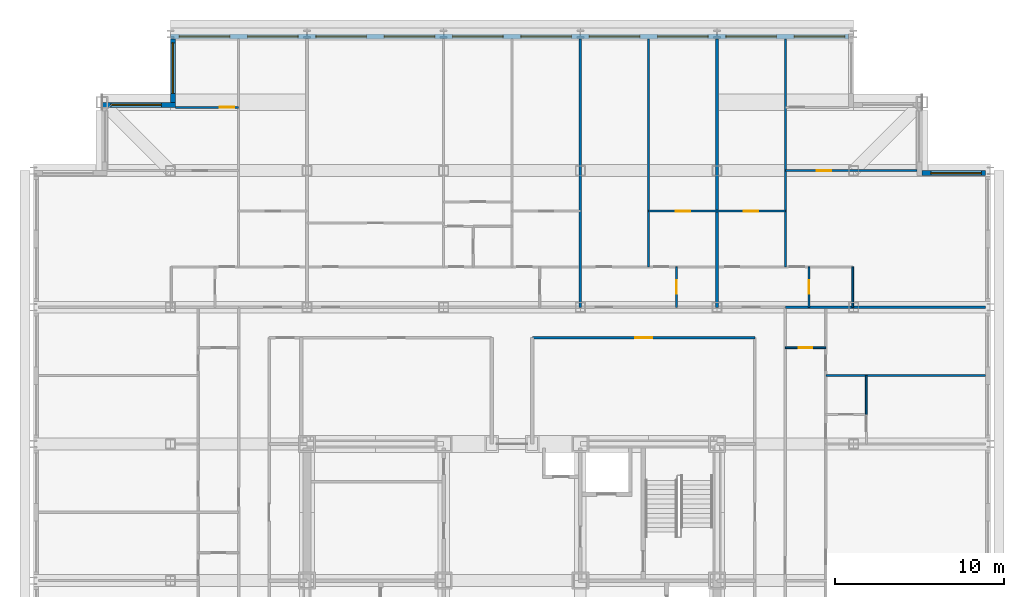
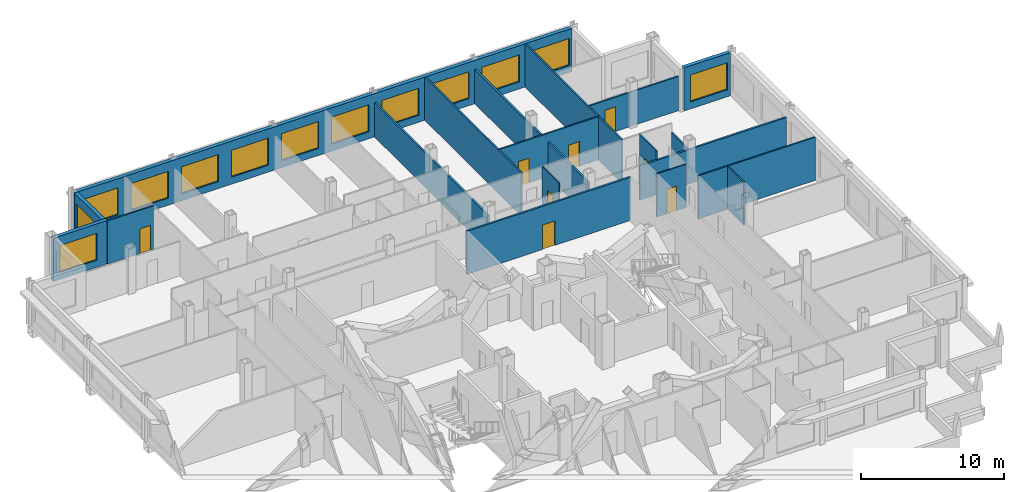
# One storey, part 13 of 15: 19 walls, 13 windows, 8 doors, 21 openings.
"""IFC4 building model written with IfcOpenShell, lengths in metres."""

from ifc_helpers import new_model, si_unit, direction, frame, frame_2d, origin, place, context, subcontext, project, spatial, rectangle, extrude, material, layer, layer_set, type_object, element, fill, save


model = new_model("IFC4")

# Units and contexts
model_context = context("Model", 3, precision=1e-05, world=origin(), true_north=direction((0.0, 1.0)))
body_context = subcontext(model_context, "Body", "Model", "MODEL_VIEW")
ifc_project = project(units=[si_unit("LENGTHUNIT", "METRE"), si_unit("AREAUNIT", "SQUARE_METRE"), si_unit("VOLUMEUNIT", "CUBIC_METRE"), si_unit("PLANEANGLEUNIT", "RADIAN"), si_unit("MASSUNIT", "GRAM", prefix="KILO")], contexts=[model_context])

# Site, building, storey
site_placement = place(None, origin())
site = spatial("IfcSite", under=ifc_project, at=site_placement, CompositionType="ELEMENT")
building_placement = place(site_placement, origin())
building = spatial("IfcBuilding", under=site, at=building_placement, Name="Kopane Lantern Tower", CompositionType="ELEMENT")
storey_placement = place(building_placement, frame((0.0, 0.0, 242.39990234375)))
storey = spatial("IfcBuildingStorey", under=building, at=storey_placement, Name="L62", CompositionType="ELEMENT", Elevation=242.39990234375)

# Walls
ifc_material_1 = material(Name="Gypsum board on steel studs", Category="steel")
ifc_layer_1 = layer(ifc_material_1, 0.1201171875)
ifc_layer_set_1 = layer_set([ifc_layer_1], Name="APARTMENT INTERNAL WALL 120")
wall_type_1 = type_object("IfcWallType", Name="APARTMENT INTERNAL WALL 120", PredefinedType="PARTITIONING", material=ifc_layer_set_1)
wall_1_placement = place(storey_placement, frame((36.449951171875, 51.0, 0.0), z_axis=(0.0, 0.0, 1.0), x_axis=(0.0, 1.0, 0.0)))
element("IfcWall", 1, at=wall_1_placement, inside=storey, type_object=wall_type_1, Name="Apartment Internal Wall 120 L62", PredefinedType="PARTITIONING", context=body_context, shape_type="SweptSolid", body=[
    extrude(rectangle(XDim=13.5, YDim=0.1201171875, at=frame_2d((6.75, 0.0))), origin(), (0.0, 0.0, 1.0), 3.690185546875),
])
wall_2_placement = place(storey_placement, frame((46.949951171875, 44.550048828125, 0.0), z_axis=(0.0, 0.0, 1.0), x_axis=(1.0, 0.0, 0.0)))
element("IfcWall", 2, at=wall_2_placement, inside=storey, type_object=wall_type_1, Name="Apartment Internal Wall 120 L62", PredefinedType="PARTITIONING", context=body_context, shape_type="SweptSolid", body=[
    extrude(rectangle(XDim=9.449951171875, YDim=0.1201171875, at=frame_2d((4.72509765625, 0.0))), origin(), (0.0, 0.0, 1.0), 3.690185546875),
])
wall_3_placement = place(storey_placement, frame((44.550048828125, 51.0, 0.0), z_axis=(0.0, 0.0, 1.0), x_axis=(0.0, 1.0, 0.0)))
element("IfcWall", 3, at=wall_3_placement, inside=storey, type_object=wall_type_1, Name="Apartment Internal Wall 120 L62", PredefinedType="PARTITIONING", context=body_context, shape_type="SweptSolid", body=[
    extrude(rectangle(XDim=13.5, YDim=0.1201171875, at=frame_2d((6.75, 0.0))), origin(), (0.0, 0.0, 1.0), 3.690185546875),
])

# Wall, opening, door
wall_4_placement = place(storey_placement, frame((44.550048828125, 56.699951171875, 0.0), z_axis=(0.0, 0.0, 1.0), x_axis=(1.0, 0.0, 0.0)))
wall_4 = element("IfcWall", 4, at=wall_4_placement, inside=storey, type_object=wall_type_1, Name="Apartment Internal Wall 120 L62", PredefinedType="PARTITIONING", context=body_context, shape_type="SweptSolid", body=[
    extrude(rectangle(XDim=7.800048828125, YDim=0.1201171875, at=frame_2d((3.89990234375, 0.0))), origin(), (0.0, 0.0, 1.0), 2.927978515625),
])
opening_1_placement = place(wall_4_placement, frame((1.875, 0.0, 0.0)))
opening_1 = element("IfcOpeningElement", 5, at=opening_1_placement, cuts=wall_4, Name="Opening L62-057", PredefinedType="OPENING", context=body_context, shape_type="SweptSolid", body=[
    extrude(rectangle(XDim=0.85009765625, YDim=2.10009765625, at=frame_2d((0.425048828125, 1.050048828125))), frame((0.0, 0.070068359375, 0.0), z_axis=(0.0, -1.0, 0.0), x_axis=(1.0, 0.0, 0.0)), (0.0, 0.0, 1.0), 0.14013671875),
])
ifc_material_2 = material(Name="Timber door set", Category="wood")
door_type_1 = type_object("IfcDoorType", Name="DOOR D4 850x2100", OperationType="SINGLE_SWING_LEFT", PredefinedType="DOOR", material=ifc_material_2)
door_1_placement = place(opening_1_placement, origin())
door_1 = element("IfcDoor", 6, at=door_1_placement, inside=storey, type_object=door_type_1, Name="Door L62-057", OperationType="SINGLE_SWING_LEFT", OverallHeight=2.10009765625, OverallWidth=0.85009765625, PredefinedType="DOOR", context=body_context, shape_type="SweptSolid", body=[
    extrude(rectangle(XDim=0.85009765625, YDim=2.10009765625, at=frame_2d((0.425048828125, 1.050048828125))), frame((0.0, 0.02490234375, 0.0), z_axis=(0.0, -1.0, 0.0), x_axis=(1.0, 0.0, 0.0)), (0.0, 0.0, 1.0), 0.050048828125),
])
fill(opening_1, door_1)

wall_5_placement = place(storey_placement, frame((12.14990234375, 60.449951171875, 0.0), z_axis=(0.0, 0.0, 1.0), x_axis=(-1.0, 0.0, 0.0)))
wall_5 = element("IfcWall", 7, at=wall_5_placement, inside=storey, type_object=wall_type_1, Name="Apartment Internal Wall 120 L62", PredefinedType="PARTITIONING", context=body_context, shape_type="SweptSolid", body=[
    extrude(rectangle(XDim=3.75, YDim=0.1201171875, at=frame_2d((1.875, 0.0))), origin(), (0.0, 0.0, 1.0), 3.690185546875),
])
opening_2_placement = place(wall_5_placement, frame((0.27490234375, 0.0, 0.0)))
opening_2 = element("IfcOpeningElement", 8, at=opening_2_placement, cuts=wall_5, Name="Opening L62-066", PredefinedType="OPENING", context=body_context, shape_type="SweptSolid", body=[
    extrude(rectangle(XDim=0.85009765625, YDim=2.10009765625, at=frame_2d((0.425048828125, 1.050048828125))), frame((0.0, 0.070068359375, 0.0), z_axis=(0.0, -1.0, 0.0), x_axis=(1.0, 0.0, 0.0)), (0.0, 0.0, 1.0), 0.14013671875),
])
door_2_placement = place(opening_2_placement, origin())
door_2 = element("IfcDoor", 9, at=door_2_placement, inside=storey, type_object=door_type_1, Name="Door L62-066", OperationType="SINGLE_SWING_RIGHT", OverallHeight=2.10009765625, OverallWidth=0.85009765625, PredefinedType="DOOR", context=body_context, shape_type="SweptSolid", body=[
    extrude(rectangle(XDim=0.85009765625, YDim=2.10009765625, at=frame_2d((0.425048828125, 1.050048828125))), frame((0.0, 0.02490234375, 0.0), z_axis=(0.0, -1.0, 0.0), x_axis=(1.0, 0.0, 0.0)), (0.0, 0.0, 1.0), 0.050048828125),
])
fill(opening_2, door_2)

# Wall, openings, doors
wall_6_placement = place(storey_placement, frame((36.449951171875, 54.300048828125, 0.0), z_axis=(0.0, 0.0, 1.0), x_axis=(1.0, 0.0, 0.0)))
wall_6 = element("IfcWall", 10, at=wall_6_placement, inside=storey, type_object=wall_type_1, Name="Apartment Internal Wall 120 L62", PredefinedType="PARTITIONING", context=body_context, shape_type="SweptSolid", body=[
    extrude(rectangle(XDim=8.10009765625, YDim=0.1201171875, at=frame_2d((4.050048828125, 0.0))), origin(), (0.0, 0.0, 1.0), 3.690185546875),
])
opening_3_placement = place(wall_6_placement, frame((1.60009765625, 0.0, 0.0)))
opening_3 = element("IfcOpeningElement", 11, at=opening_3_placement, cuts=wall_6, Name="Opening L62-070", PredefinedType="OPENING", context=body_context, shape_type="SweptSolid", body=[
    extrude(rectangle(XDim=0.85009765625, YDim=2.10009765625, at=frame_2d((0.425048828125, 1.050048828125))), frame((0.0, 0.070068359375, 0.0), z_axis=(0.0, -1.0, 0.0), x_axis=(1.0, 0.0, 0.0)), (0.0, 0.0, 1.0), 0.14013671875),
])
opening_4_placement = place(wall_6_placement, frame((5.64990234375, 0.0, 0.0)))
opening_4 = element("IfcOpeningElement", 12, at=opening_4_placement, cuts=wall_6, Name="Opening L62-071", PredefinedType="OPENING", context=body_context, shape_type="SweptSolid", body=[
    extrude(rectangle(XDim=0.85009765625, YDim=2.10009765625, at=frame_2d((0.425048828125, 1.050048828125))), frame((0.0, 0.070068359375, 0.0), z_axis=(0.0, -1.0, 0.0), x_axis=(1.0, 0.0, 0.0)), (0.0, 0.0, 1.0), 0.14013671875),
])
door_3_placement = place(opening_3_placement, origin())
door_3 = element("IfcDoor", 13, at=door_3_placement, inside=storey, type_object=door_type_1, Name="Door L62-070", OperationType="SINGLE_SWING_RIGHT", OverallHeight=2.10009765625, OverallWidth=0.85009765625, PredefinedType="DOOR", context=body_context, shape_type="SweptSolid", body=[
    extrude(rectangle(XDim=0.85009765625, YDim=2.10009765625, at=frame_2d((0.425048828125, 1.050048828125))), frame((0.0, 0.02490234375, 0.0), z_axis=(0.0, -1.0, 0.0), x_axis=(1.0, 0.0, 0.0)), (0.0, 0.0, 1.0), 0.050048828125),
])
fill(opening_3, door_3)
door_4_placement = place(opening_4_placement, origin())
door_4 = element("IfcDoor", 14, at=door_4_placement, inside=storey, type_object=door_type_1, Name="Door L62-071", OperationType="SINGLE_SWING_LEFT", OverallHeight=2.10009765625, OverallWidth=0.85009765625, PredefinedType="DOOR", context=body_context, shape_type="SweptSolid", body=[
    extrude(rectangle(XDim=0.85009765625, YDim=2.10009765625, at=frame_2d((0.425048828125, 1.050048828125))), frame((0.0, 0.02490234375, 0.0), z_axis=(0.0, -1.0, 0.0), x_axis=(1.0, 0.0, 0.0)), (0.0, 0.0, 1.0), 0.050048828125),
])
fill(opening_4, door_4)

# Wall, opening, door
ifc_material_3 = material(Name="Moisture-resistant board on steel studs", Category="steel")
ifc_layer_2 = layer(ifc_material_3, 0.10009765625)
ifc_layer_set_2 = layer_set([ifc_layer_2], Name="BATHROOM WALL 100")
wall_type_2 = type_object("IfcWallType", Name="BATHROOM WALL 100", PredefinedType="PARTITIONING", material=ifc_layer_set_2)
wall_7_placement = place(storey_placement, frame((38.10009765625, 48.60009765625, 0.0), z_axis=(0.0, 0.0, 1.0), x_axis=(0.0, 1.0, 0.0)))
wall_7 = element("IfcWall", 15, at=wall_7_placement, inside=storey, type_object=wall_type_2, Name="Bathroom Wall 100 L62", PredefinedType="PARTITIONING", context=body_context, shape_type="SweptSolid", body=[
    extrude(rectangle(XDim=2.39990234375, YDim=0.10009765625, at=frame_2d((1.199951171875, 0.0))), origin(), (0.0, 0.0, 1.0), 3.690185546875),
])
opening_5_placement = place(wall_7_placement, frame((0.800048828125, 0.0, 0.0)))
opening_5 = element("IfcOpeningElement", 16, at=opening_5_placement, cuts=wall_7, Name="Opening L62-025", PredefinedType="OPENING", context=body_context, shape_type="SweptSolid", body=[
    extrude(rectangle(XDim=0.800048828125, YDim=2.10009765625, at=frame_2d((0.39990234375, 1.050048828125))), frame((0.0, 0.06005859375, 0.0), z_axis=(0.0, -1.0, 0.0), x_axis=(1.0, 0.0, 0.0)), (0.0, 0.0, 1.0), 0.1201171875),
])
ifc_material_4 = material(Name="Timber door set", Category="wood")
door_type_2 = type_object("IfcDoorType", Name="DOOR D2 800x2100", OperationType="SINGLE_SWING_LEFT", PredefinedType="DOOR", material=ifc_material_4)
door_5_placement = place(opening_5_placement, origin())
door_5 = element("IfcDoor", 17, at=door_5_placement, inside=storey, type_object=door_type_2, Name="Door L62-025", OperationType="SINGLE_SWING_RIGHT", OverallHeight=2.10009765625, OverallWidth=0.800048828125, PredefinedType="DOOR", context=body_context, shape_type="SweptSolid", body=[
    extrude(rectangle(XDim=0.800048828125, YDim=2.10009765625, at=frame_2d((0.39990234375, 1.050048828125))), frame((0.0, 0.02490234375, 0.0), z_axis=(0.0, -1.0, 0.0), x_axis=(1.0, 0.0, 0.0)), (0.0, 0.0, 1.0), 0.050048828125),
])
fill(opening_5, door_5)

wall_8_placement = place(storey_placement, frame((44.550048828125, 46.199951171875, 0.0), z_axis=(0.0, 0.0, 1.0), x_axis=(1.0, 0.0, 0.0)))
wall_8 = element("IfcWall", 18, at=wall_8_placement, inside=storey, type_object=wall_type_2, Name="Bathroom Wall 100 L62", PredefinedType="PARTITIONING", context=body_context, shape_type="SweptSolid", body=[
    extrude(rectangle(XDim=2.39990234375, YDim=0.10009765625, at=frame_2d((1.199951171875, 0.0))), origin(), (0.0, 0.0, 1.0), 3.690185546875),
])
opening_6_placement = place(wall_8_placement, frame((0.800048828125, 0.0, 0.0)))
opening_6 = element("IfcOpeningElement", 19, at=opening_6_placement, cuts=wall_8, Name="Opening L62-041", PredefinedType="OPENING", context=body_context, shape_type="SweptSolid", body=[
    extrude(rectangle(XDim=0.800048828125, YDim=2.10009765625, at=frame_2d((0.39990234375, 1.050048828125))), frame((0.0, 0.06005859375, 0.0), z_axis=(0.0, -1.0, 0.0), x_axis=(1.0, 0.0, 0.0)), (0.0, 0.0, 1.0), 0.1201171875),
])
door_6_placement = place(opening_6_placement, origin())
door_6 = element("IfcDoor", 20, at=door_6_placement, inside=storey, type_object=door_type_2, Name="Door L62-041", OperationType="SINGLE_SWING_LEFT", OverallHeight=2.10009765625, OverallWidth=0.800048828125, PredefinedType="DOOR", context=body_context, shape_type="SweptSolid", body=[
    extrude(rectangle(XDim=0.800048828125, YDim=2.10009765625, at=frame_2d((0.39990234375, 1.050048828125))), frame((0.0, 0.02490234375, 0.0), z_axis=(0.0, -1.0, 0.0), x_axis=(1.0, 0.0, 0.0)), (0.0, 0.0, 1.0), 0.050048828125),
])
fill(opening_6, door_6)

# Wall
wall_9_placement = place(storey_placement, frame((49.35009765625, 42.25, 0.0), z_axis=(0.0, 0.0, 1.0), x_axis=(0.0, 1.0, 0.0)))
element("IfcWall", 21, at=wall_9_placement, inside=storey, type_object=wall_type_2, Name="Bathroom Wall 100 L62", PredefinedType="PARTITIONING", context=body_context, shape_type="SweptSolid", body=[
    extrude(rectangle(XDim=2.300048828125, YDim=0.10009765625, at=frame_2d((1.14990234375, 0.0))), origin(), (0.0, 0.0, 1.0), 3.690185546875),
])

# Wall, opening, door
wall_10_placement = place(storey_placement, frame((45.949951171875, 48.60009765625, 0.0), z_axis=(0.0, 0.0, 1.0), x_axis=(0.0, 1.0, 0.0)))
wall_10 = element("IfcWall", 22, at=wall_10_placement, inside=storey, type_object=wall_type_2, Name="Bathroom Wall 100 L62", PredefinedType="PARTITIONING", context=body_context, shape_type="SweptSolid", body=[
    extrude(rectangle(XDim=2.39990234375, YDim=0.10009765625, at=frame_2d((1.199951171875, 0.0))), origin(), (0.0, 0.0, 1.0), 3.690185546875),
])
opening_7_placement = place(wall_10_placement, frame((0.800048828125, 0.0, 0.0)))
opening_7 = element("IfcOpeningElement", 23, at=opening_7_placement, cuts=wall_10, Name="Opening L62-055", PredefinedType="OPENING", context=body_context, shape_type="SweptSolid", body=[
    extrude(rectangle(XDim=0.800048828125, YDim=2.10009765625, at=frame_2d((0.39990234375, 1.050048828125))), frame((0.0, 0.06005859375, 0.0), z_axis=(0.0, -1.0, 0.0), x_axis=(1.0, 0.0, 0.0)), (0.0, 0.0, 1.0), 0.1201171875),
])
door_7_placement = place(opening_7_placement, origin())
door_7 = element("IfcDoor", 24, at=door_7_placement, inside=storey, type_object=door_type_2, Name="Door L62-055", OperationType="SINGLE_SWING_RIGHT", OverallHeight=2.10009765625, OverallWidth=0.800048828125, PredefinedType="DOOR", context=body_context, shape_type="SweptSolid", body=[
    extrude(rectangle(XDim=0.800048828125, YDim=2.10009765625, at=frame_2d((0.39990234375, 1.050048828125))), frame((0.0, 0.02490234375, 0.0), z_axis=(0.0, -1.0, 0.0), x_axis=(1.0, 0.0, 0.0)), (0.0, 0.0, 1.0), 0.050048828125),
])
fill(opening_7, door_7)

# Wall
wall_11_placement = place(storey_placement, frame((48.550048828125, 48.60009765625, 0.0), z_axis=(0.0, 0.0, 1.0), x_axis=(0.0, 1.0, 0.0)))
element("IfcWall", 25, at=wall_11_placement, inside=storey, type_object=wall_type_2, Name="Bathroom Wall 100 L62", PredefinedType="PARTITIONING", context=body_context, shape_type="SweptSolid", body=[
    extrude(rectangle(XDim=2.39990234375, YDim=0.10009765625, at=frame_2d((1.199951171875, 0.0))), origin(), (0.0, 0.0, 1.0), 2.927978515625),
])

# Wall, opening, door
ifc_material_5 = material(Name="Gypsum board on steel studs", Category="steel")
ifc_layer_3 = layer(ifc_material_5, 0.14990234375)
ifc_layer_set_3 = layer_set([ifc_layer_3], Name="CORRIDOR WALL 150 EI 60")
wall_type_3 = type_object("IfcWallType", Name="CORRIDOR WALL 150 EI 60", PredefinedType="PARTITIONING", material=ifc_layer_set_3)
wall_12_placement = place(storey_placement, frame((42.75, 46.800048828125, 0.0), z_axis=(0.0, 0.0, 1.0), x_axis=(-1.0, 0.0, 0.0)))
wall_12 = element("IfcWall", 26, at=wall_12_placement, inside=storey, type_object=wall_type_3, Name="Corridor Wall 150 Ei 60 L62", PredefinedType="PARTITIONING", context=body_context, shape_type="SweptSolid", body=[
    extrude(rectangle(XDim=13.18994140625, YDim=0.14990234375, at=frame_2d((6.594970703125, 0.0))), origin(), (0.0, 0.0, 1.0), 3.690185546875),
])
opening_8_placement = place(wall_12_placement, frame((6.10009765625, 0.0, 0.0)))
opening_8 = element("IfcOpeningElement", 27, at=opening_8_placement, cuts=wall_12, Name="Opening L62-007", PredefinedType="OPENING", context=body_context, shape_type="SweptSolid", body=[
    extrude(rectangle(XDim=1.0, YDim=2.10009765625, at=frame_2d((0.5, 1.050048828125))), frame((0.0, 0.0849609375, 0.0), z_axis=(0.0, -1.0, 0.0), x_axis=(1.0, 0.0, 0.0)), (0.0, 0.0, 1.0), 0.169921875),
])
ifc_material_6 = material(Name="Steel door set", Category="steel")
door_type_3 = type_object("IfcDoorType", Name="DOOR D5 1000x2100 FD60", OperationType="SINGLE_SWING_LEFT", PredefinedType="DOOR", material=ifc_material_6)
door_8_placement = place(opening_8_placement, origin())
door_8 = element("IfcDoor", 28, at=door_8_placement, inside=storey, type_object=door_type_3, Name="Door L62-007", OperationType="SINGLE_SWING_LEFT", OverallHeight=2.10009765625, OverallWidth=1.0, PredefinedType="DOOR", context=body_context, shape_type="SweptSolid", body=[
    extrude(rectangle(XDim=1.0, YDim=2.10009765625, at=frame_2d((0.5, 1.050048828125))), frame((0.0, 0.02490234375, 0.0), z_axis=(0.0, -1.0, 0.0), x_axis=(1.0, 0.0, 0.0)), (0.0, 0.0, 1.0), 0.050048828125),
])
fill(opening_8, door_8)

# Walls
ifc_material_7 = material(Name="Gypsum board on steel studs", Category="steel")
ifc_layer_4 = layer(ifc_material_7, 0.14990234375)
ifc_layer_set_4 = layer_set([ifc_layer_4], Name="DEMISING WALL 150 EI 60")
wall_type_4 = type_object("IfcWallType", Name="DEMISING WALL 150 EI 60", PredefinedType="PARTITIONING", material=ifc_layer_set_4)
wall_13_placement = place(storey_placement, frame((32.39990234375, 48.60009765625, 0.0), z_axis=(0.0, 0.0, 1.0), x_axis=(0.0, 1.0, 0.0)))
element("IfcWall", 29, at=wall_13_placement, inside=storey, type_object=wall_type_4, Name="Demising Wall 150 Ei 60 L62", PredefinedType="PARTITIONING", context=body_context, shape_type="SweptSolid", body=[
    extrude(rectangle(XDim=15.89990234375, YDim=0.14990234375, at=frame_2d((7.949951171875, 0.0))), origin(), (0.0, 0.0, 1.0), 2.927978515625),
])
wall_14_placement = place(storey_placement, frame((44.550048828125, 48.60009765625, 0.0), z_axis=(0.0, 0.0, 1.0), x_axis=(1.0, 0.0, 0.0)))
element("IfcWall", 30, at=wall_14_placement, inside=storey, type_object=wall_type_4, Name="Demising Wall 150 Ei 60 L62", PredefinedType="PARTITIONING", context=body_context, shape_type="SweptSolid", body=[
    extrude(rectangle(XDim=11.849853515625, YDim=0.14990234375, at=frame_2d((5.9248046875, 0.0))), origin(), (0.0, 0.0, 1.0), 2.927978515625),
])
wall_15_placement = place(storey_placement, frame((40.5, 48.60009765625, 0.0), z_axis=(0.0, 0.0, 1.0), x_axis=(0.0, 1.0, 0.0)))
element("IfcWall", 31, at=wall_15_placement, inside=storey, type_object=wall_type_4, Name="Demising Wall 150 Ei 60 L62", PredefinedType="PARTITIONING", context=body_context, shape_type="SweptSolid", body=[
    extrude(rectangle(XDim=15.89990234375, YDim=0.14990234375, at=frame_2d((7.949951171875, 0.0))), origin(), (0.0, 0.0, 1.0), 2.927978515625),
])

# Wall, opening, window
ifc_material_8 = material(Name="Terracotta rainscreen on light steel framing", Category="masonry")
ifc_layer_5 = layer(ifc_material_8, 0.300048828125)
ifc_layer_set_5 = layer_set([ifc_layer_5], Name="EXTERNAL WALL EW1 300 TERRACOTTA")
wall_type_5 = type_object("IfcWallType", Name="EXTERNAL WALL EW1 300 TERRACOTTA", PredefinedType="SOLIDWALL", material=ifc_layer_set_5)
wall_16_placement = place(storey_placement, frame((56.39990234375, 56.550048828125, 0.0), z_axis=(0.0, 0.0, 1.0), x_axis=(-1.0, 0.0, 0.0)))
wall_16 = element("IfcWall", 32, at=wall_16_placement, inside=storey, type_object=wall_type_5, Name="External wall N L62", PredefinedType="SOLIDWALL", context=body_context, shape_type="SweptSolid", body=[
    extrude(rectangle(XDim=3.75, YDim=0.300048828125, at=frame_2d((1.875, 0.0))), origin(), (0.0, 0.0, 1.0), 3.690185546875),
])
opening_9_placement = place(wall_16_placement, frame((0.22509765625, 0.0, 0.60009765625)))
opening_9 = element("IfcOpeningElement", 33, at=opening_9_placement, cuts=wall_16, Name="Opening WR300230", PredefinedType="OPENING", context=body_context, shape_type="SweptSolid", body=[
    extrude(rectangle(XDim=3.0, YDim=2.300048828125, at=frame_2d((1.5, 1.14990234375))), frame((0.0, 0.159912109375, 0.0), z_axis=(0.0, -1.0, 0.0), x_axis=(1.0, 0.0, 0.0)), (0.0, 0.0, 1.0), 0.320068359375),
])
ifc_material_9 = material(Name="Aluminium and clear glass", Category="aluminium")
window_type = type_object("IfcWindowType", Name="RIBBON WINDOW WR300230 3000x2300", PartitioningType="SINGLE_PANEL", PredefinedType="WINDOW", material=ifc_material_9)
window_1_placement = place(opening_9_placement, origin())
window_1 = element("IfcWindow", 34, at=window_1_placement, inside=storey, type_object=window_type, Name="Window N L62", OverallHeight=2.300048828125, OverallWidth=3.0, PartitioningType="SINGLE_PANEL", PredefinedType="WINDOW", context=body_context, shape_type="SweptSolid", body=[
    extrude(rectangle(XDim=3.0, YDim=2.300048828125, at=frame_2d((1.5, 1.14990234375))), frame((0.0, 0.030029296875, 0.0), z_axis=(0.0, -1.0, 0.0), x_axis=(1.0, 0.0, 0.0)), (0.0, 0.0, 1.0), 0.06005859375),
])
fill(opening_9, window_1)

# Wall, openings, windows
wall_17_placement = place(storey_placement, frame((48.300048828125, 64.64990234375, 0.0), z_axis=(0.0, 0.0, 1.0), x_axis=(-1.0, 0.0, 0.0)))
wall_17 = element("IfcWall", 35, at=wall_17_placement, inside=storey, type_object=wall_type_5, Name="External wall N L62", PredefinedType="SOLIDWALL", context=body_context, shape_type="SweptSolid", body=[
    extrude(rectangle(XDim=40.199951171875, YDim=0.300048828125, at=frame_2d((20.10009765625, 0.0))), origin(), (0.0, 0.0, 1.0), 3.690185546875),
])
opening_10_placement = place(wall_17_placement, frame((0.22509765625, 0.0, 0.60009765625)))
opening_10 = element("IfcOpeningElement", 36, at=opening_10_placement, cuts=wall_17, Name="Opening WR300230", PredefinedType="OPENING", context=body_context, shape_type="SweptSolid", body=[
    extrude(rectangle(XDim=3.0, YDim=2.300048828125, at=frame_2d((1.5, 1.14990234375))), frame((0.0, 0.159912109375, 0.0), z_axis=(0.0, -1.0, 0.0), x_axis=(1.0, 0.0, 0.0)), (0.0, 0.0, 1.0), 0.320068359375),
])
opening_11_placement = place(wall_17_placement, frame((4.27490234375, 0.0, 0.60009765625)))
opening_11 = element("IfcOpeningElement", 37, at=opening_11_placement, cuts=wall_17, Name="Opening WR300230", PredefinedType="OPENING", context=body_context, shape_type="SweptSolid", body=[
    extrude(rectangle(XDim=3.0, YDim=2.300048828125, at=frame_2d((1.5, 1.14990234375))), frame((0.0, 0.159912109375, 0.0), z_axis=(0.0, -1.0, 0.0), x_axis=(1.0, 0.0, 0.0)), (0.0, 0.0, 1.0), 0.320068359375),
])
opening_12_placement = place(wall_17_placement, frame((8.324951171875, 0.0, 0.60009765625)))
opening_12 = element("IfcOpeningElement", 38, at=opening_12_placement, cuts=wall_17, Name="Opening WR300230", PredefinedType="OPENING", context=body_context, shape_type="SweptSolid", body=[
    extrude(rectangle(XDim=3.0, YDim=2.300048828125, at=frame_2d((1.5, 1.14990234375))), frame((0.0, 0.159912109375, 0.0), z_axis=(0.0, -1.0, 0.0), x_axis=(1.0, 0.0, 0.0)), (0.0, 0.0, 1.0), 0.320068359375),
])
opening_13_placement = place(wall_17_placement, frame((12.375, 0.0, 0.60009765625)))
opening_13 = element("IfcOpeningElement", 39, at=opening_13_placement, cuts=wall_17, Name="Opening WR300230", PredefinedType="OPENING", context=body_context, shape_type="SweptSolid", body=[
    extrude(rectangle(XDim=3.0, YDim=2.300048828125, at=frame_2d((1.5, 1.14990234375))), frame((0.0, 0.159912109375, 0.0), z_axis=(0.0, -1.0, 0.0), x_axis=(1.0, 0.0, 0.0)), (0.0, 0.0, 1.0), 0.320068359375),
])
opening_14_placement = place(wall_17_placement, frame((16.425048828125, 0.0, 0.60009765625)))
opening_14 = element("IfcOpeningElement", 40, at=opening_14_placement, cuts=wall_17, Name="Opening WR300230", PredefinedType="OPENING", context=body_context, shape_type="SweptSolid", body=[
    extrude(rectangle(XDim=3.0, YDim=2.300048828125, at=frame_2d((1.5, 1.14990234375))), frame((0.0, 0.159912109375, 0.0), z_axis=(0.0, -1.0, 0.0), x_axis=(1.0, 0.0, 0.0)), (0.0, 0.0, 1.0), 0.320068359375),
])
opening_15_placement = place(wall_17_placement, frame((20.47509765625, 0.0, 0.60009765625)))
opening_15 = element("IfcOpeningElement", 41, at=opening_15_placement, cuts=wall_17, Name="Opening WR300230", PredefinedType="OPENING", context=body_context, shape_type="SweptSolid", body=[
    extrude(rectangle(XDim=3.0, YDim=2.300048828125, at=frame_2d((1.5, 1.14990234375))), frame((0.0, 0.159912109375, 0.0), z_axis=(0.0, -1.0, 0.0), x_axis=(1.0, 0.0, 0.0)), (0.0, 0.0, 1.0), 0.320068359375),
])
opening_16_placement = place(wall_17_placement, frame((24.52490234375, 0.0, 0.60009765625)))
opening_16 = element("IfcOpeningElement", 42, at=opening_16_placement, cuts=wall_17, Name="Opening WR300230", PredefinedType="OPENING", context=body_context, shape_type="SweptSolid", body=[
    extrude(rectangle(XDim=3.0, YDim=2.300048828125, at=frame_2d((1.5, 1.14990234375))), frame((0.0, 0.159912109375, 0.0), z_axis=(0.0, -1.0, 0.0), x_axis=(1.0, 0.0, 0.0)), (0.0, 0.0, 1.0), 0.320068359375),
])
opening_17_placement = place(wall_17_placement, frame((28.574951171875, 0.0, 0.60009765625)))
opening_17 = element("IfcOpeningElement", 43, at=opening_17_placement, cuts=wall_17, Name="Opening WR300230", PredefinedType="OPENING", context=body_context, shape_type="SweptSolid", body=[
    extrude(rectangle(XDim=3.0, YDim=2.300048828125, at=frame_2d((1.5, 1.14990234375))), frame((0.0, 0.159912109375, 0.0), z_axis=(0.0, -1.0, 0.0), x_axis=(1.0, 0.0, 0.0)), (0.0, 0.0, 1.0), 0.320068359375),
])
opening_18_placement = place(wall_17_placement, frame((32.625, 0.0, 0.60009765625)))
opening_18 = element("IfcOpeningElement", 44, at=opening_18_placement, cuts=wall_17, Name="Opening WR300230", PredefinedType="OPENING", context=body_context, shape_type="SweptSolid", body=[
    extrude(rectangle(XDim=3.0, YDim=2.300048828125, at=frame_2d((1.5, 1.14990234375))), frame((0.0, 0.159912109375, 0.0), z_axis=(0.0, -1.0, 0.0), x_axis=(1.0, 0.0, 0.0)), (0.0, 0.0, 1.0), 0.320068359375),
])
opening_19_placement = place(wall_17_placement, frame((36.675048828125, 0.0, 0.60009765625)))
opening_19 = element("IfcOpeningElement", 45, at=opening_19_placement, cuts=wall_17, Name="Opening WR300230", PredefinedType="OPENING", context=body_context, shape_type="SweptSolid", body=[
    extrude(rectangle(XDim=3.0, YDim=2.300048828125, at=frame_2d((1.5, 1.14990234375))), frame((0.0, 0.159912109375, 0.0), z_axis=(0.0, -1.0, 0.0), x_axis=(1.0, 0.0, 0.0)), (0.0, 0.0, 1.0), 0.320068359375),
])
window_2_placement = place(opening_10_placement, origin())
window_2 = element("IfcWindow", 46, at=window_2_placement, inside=storey, type_object=window_type, Name="Window N L62", OverallHeight=2.300048828125, OverallWidth=3.0, PartitioningType="SINGLE_PANEL", PredefinedType="WINDOW", context=body_context, shape_type="SweptSolid", body=[
    extrude(rectangle(XDim=3.0, YDim=2.300048828125, at=frame_2d((1.5, 1.14990234375))), frame((0.0, 0.030029296875, 0.0), z_axis=(0.0, -1.0, 0.0), x_axis=(1.0, 0.0, 0.0)), (0.0, 0.0, 1.0), 0.06005859375),
])
fill(opening_10, window_2)
window_3_placement = place(opening_11_placement, origin())
window_3 = element("IfcWindow", 47, at=window_3_placement, inside=storey, type_object=window_type, Name="Window N L62", OverallHeight=2.300048828125, OverallWidth=3.0, PartitioningType="SINGLE_PANEL", PredefinedType="WINDOW", context=body_context, shape_type="SweptSolid", body=[
    extrude(rectangle(XDim=3.0, YDim=2.300048828125, at=frame_2d((1.5, 1.14990234375))), frame((0.0, 0.030029296875, 0.0), z_axis=(0.0, -1.0, 0.0), x_axis=(1.0, 0.0, 0.0)), (0.0, 0.0, 1.0), 0.06005859375),
])
fill(opening_11, window_3)
window_4_placement = place(opening_12_placement, origin())
window_4 = element("IfcWindow", 48, at=window_4_placement, inside=storey, type_object=window_type, Name="Window N L62", OverallHeight=2.300048828125, OverallWidth=3.0, PartitioningType="SINGLE_PANEL", PredefinedType="WINDOW", context=body_context, shape_type="SweptSolid", body=[
    extrude(rectangle(XDim=3.0, YDim=2.300048828125, at=frame_2d((1.5, 1.14990234375))), frame((0.0, 0.030029296875, 0.0), z_axis=(0.0, -1.0, 0.0), x_axis=(1.0, 0.0, 0.0)), (0.0, 0.0, 1.0), 0.06005859375),
])
fill(opening_12, window_4)
window_5_placement = place(opening_13_placement, origin())
window_5 = element("IfcWindow", 49, at=window_5_placement, inside=storey, type_object=window_type, Name="Window N L62", OverallHeight=2.300048828125, OverallWidth=3.0, PartitioningType="SINGLE_PANEL", PredefinedType="WINDOW", context=body_context, shape_type="SweptSolid", body=[
    extrude(rectangle(XDim=3.0, YDim=2.300048828125, at=frame_2d((1.5, 1.14990234375))), frame((0.0, 0.030029296875, 0.0), z_axis=(0.0, -1.0, 0.0), x_axis=(1.0, 0.0, 0.0)), (0.0, 0.0, 1.0), 0.06005859375),
])
fill(opening_13, window_5)
window_6_placement = place(opening_14_placement, origin())
window_6 = element("IfcWindow", 50, at=window_6_placement, inside=storey, type_object=window_type, Name="Window N L62", OverallHeight=2.300048828125, OverallWidth=3.0, PartitioningType="SINGLE_PANEL", PredefinedType="WINDOW", context=body_context, shape_type="SweptSolid", body=[
    extrude(rectangle(XDim=3.0, YDim=2.300048828125, at=frame_2d((1.5, 1.14990234375))), frame((0.0, 0.030029296875, 0.0), z_axis=(0.0, -1.0, 0.0), x_axis=(1.0, 0.0, 0.0)), (0.0, 0.0, 1.0), 0.06005859375),
])
fill(opening_14, window_6)
window_7_placement = place(opening_15_placement, origin())
window_7 = element("IfcWindow", 51, at=window_7_placement, inside=storey, type_object=window_type, Name="Window N L62", OverallHeight=2.300048828125, OverallWidth=3.0, PartitioningType="SINGLE_PANEL", PredefinedType="WINDOW", context=body_context, shape_type="SweptSolid", body=[
    extrude(rectangle(XDim=3.0, YDim=2.300048828125, at=frame_2d((1.5, 1.14990234375))), frame((0.0, 0.030029296875, 0.0), z_axis=(0.0, -1.0, 0.0), x_axis=(1.0, 0.0, 0.0)), (0.0, 0.0, 1.0), 0.06005859375),
])
fill(opening_15, window_7)
window_8_placement = place(opening_16_placement, origin())
window_8 = element("IfcWindow", 52, at=window_8_placement, inside=storey, type_object=window_type, Name="Window N L62", OverallHeight=2.300048828125, OverallWidth=3.0, PartitioningType="SINGLE_PANEL", PredefinedType="WINDOW", context=body_context, shape_type="SweptSolid", body=[
    extrude(rectangle(XDim=3.0, YDim=2.300048828125, at=frame_2d((1.5, 1.14990234375))), frame((0.0, 0.030029296875, 0.0), z_axis=(0.0, -1.0, 0.0), x_axis=(1.0, 0.0, 0.0)), (0.0, 0.0, 1.0), 0.06005859375),
])
fill(opening_16, window_8)
window_9_placement = place(opening_17_placement, origin())
window_9 = element("IfcWindow", 53, at=window_9_placement, inside=storey, type_object=window_type, Name="Window N L62", OverallHeight=2.300048828125, OverallWidth=3.0, PartitioningType="SINGLE_PANEL", PredefinedType="WINDOW", context=body_context, shape_type="SweptSolid", body=[
    extrude(rectangle(XDim=3.0, YDim=2.300048828125, at=frame_2d((1.5, 1.14990234375))), frame((0.0, 0.030029296875, 0.0), z_axis=(0.0, -1.0, 0.0), x_axis=(1.0, 0.0, 0.0)), (0.0, 0.0, 1.0), 0.06005859375),
])
fill(opening_17, window_9)
window_10_placement = place(opening_18_placement, origin())
window_10 = element("IfcWindow", 54, at=window_10_placement, inside=storey, type_object=window_type, Name="Window N L62", OverallHeight=2.300048828125, OverallWidth=3.0, PartitioningType="SINGLE_PANEL", PredefinedType="WINDOW", context=body_context, shape_type="SweptSolid", body=[
    extrude(rectangle(XDim=3.0, YDim=2.300048828125, at=frame_2d((1.5, 1.14990234375))), frame((0.0, 0.030029296875, 0.0), z_axis=(0.0, -1.0, 0.0), x_axis=(1.0, 0.0, 0.0)), (0.0, 0.0, 1.0), 0.06005859375),
])
fill(opening_18, window_10)
window_11_placement = place(opening_19_placement, origin())
window_11 = element("IfcWindow", 55, at=window_11_placement, inside=storey, type_object=window_type, Name="Window N L62", OverallHeight=2.300048828125, OverallWidth=3.0, PartitioningType="SINGLE_PANEL", PredefinedType="WINDOW", context=body_context, shape_type="SweptSolid", body=[
    extrude(rectangle(XDim=3.0, YDim=2.300048828125, at=frame_2d((1.5, 1.14990234375))), frame((0.0, 0.030029296875, 0.0), z_axis=(0.0, -1.0, 0.0), x_axis=(1.0, 0.0, 0.0)), (0.0, 0.0, 1.0), 0.06005859375),
])
fill(opening_19, window_11)

# Wall, opening, window
wall_18_placement = place(storey_placement, frame((8.25, 64.5, 0.0), z_axis=(0.0, 0.0, 1.0), x_axis=(0.0, -1.0, 0.0)))
wall_18 = element("IfcWall", 56, at=wall_18_placement, inside=storey, type_object=wall_type_5, Name="External wall W L62", PredefinedType="SOLIDWALL", context=body_context, shape_type="SweptSolid", body=[
    extrude(rectangle(XDim=3.75, YDim=0.300048828125, at=frame_2d((1.875, 0.0))), origin(), (0.0, 0.0, 1.0), 3.690185546875),
])
opening_20_placement = place(wall_18_placement, frame((0.22509765625, 0.0, 0.60009765625)))
opening_20 = element("IfcOpeningElement", 57, at=opening_20_placement, cuts=wall_18, Name="Opening WR300230", PredefinedType="OPENING", context=body_context, shape_type="SweptSolid", body=[
    extrude(rectangle(XDim=3.0, YDim=2.300048828125, at=frame_2d((1.5, 1.14990234375))), frame((0.0, 0.159912109375, 0.0), z_axis=(0.0, -1.0, 0.0), x_axis=(1.0, 0.0, 0.0)), (0.0, 0.0, 1.0), 0.320068359375),
])
window_12_placement = place(opening_20_placement, origin())
window_12 = element("IfcWindow", 58, at=window_12_placement, inside=storey, type_object=window_type, Name="Window W L62", OverallHeight=2.300048828125, OverallWidth=3.0, PartitioningType="SINGLE_PANEL", PredefinedType="WINDOW", context=body_context, shape_type="SweptSolid", body=[
    extrude(rectangle(XDim=3.0, YDim=2.300048828125, at=frame_2d((1.5, 1.14990234375))), frame((0.0, 0.030029296875, 0.0), z_axis=(0.0, -1.0, 0.0), x_axis=(1.0, 0.0, 0.0)), (0.0, 0.0, 1.0), 0.06005859375),
])
fill(opening_20, window_12)

wall_19_placement = place(storey_placement, frame((8.39990234375, 60.60009765625, 0.0), z_axis=(0.0, 0.0, 1.0), x_axis=(-1.0, 0.0, 0.0)))
wall_19 = element("IfcWall", 59, at=wall_19_placement, inside=storey, type_object=wall_type_5, Name="External wall N L62", PredefinedType="SOLIDWALL", context=body_context, shape_type="SweptSolid", body=[
    extrude(rectangle(XDim=4.349853515625, YDim=0.300048828125, at=frame_2d((2.1748046875, 0.0))), origin(), (0.0, 0.0, 1.0), 3.690185546875),
])
opening_21_placement = place(wall_19_placement, frame((0.824951171875, 0.0, 0.60009765625)))
opening_21 = element("IfcOpeningElement", 60, at=opening_21_placement, cuts=wall_19, Name="Opening WR300230", PredefinedType="OPENING", context=body_context, shape_type="SweptSolid", body=[
    extrude(rectangle(XDim=3.0, YDim=2.300048828125, at=frame_2d((1.5, 1.14990234375))), frame((0.0, 0.159912109375, 0.0), z_axis=(0.0, -1.0, 0.0), x_axis=(1.0, 0.0, 0.0)), (0.0, 0.0, 1.0), 0.320068359375),
])
window_13_placement = place(opening_21_placement, origin())
window_13 = element("IfcWindow", 61, at=window_13_placement, inside=storey, type_object=window_type, Name="Window N L62", OverallHeight=2.300048828125, OverallWidth=3.0, PartitioningType="SINGLE_PANEL", PredefinedType="WINDOW", context=body_context, shape_type="SweptSolid", body=[
    extrude(rectangle(XDim=3.0, YDim=2.300048828125, at=frame_2d((1.5, 1.14990234375))), frame((0.0, 0.030029296875, 0.0), z_axis=(0.0, -1.0, 0.0), x_axis=(1.0, 0.0, 0.0)), (0.0, 0.0, 1.0), 0.06005859375),
])
fill(opening_21, window_13)

save(model, "model.ifc")
